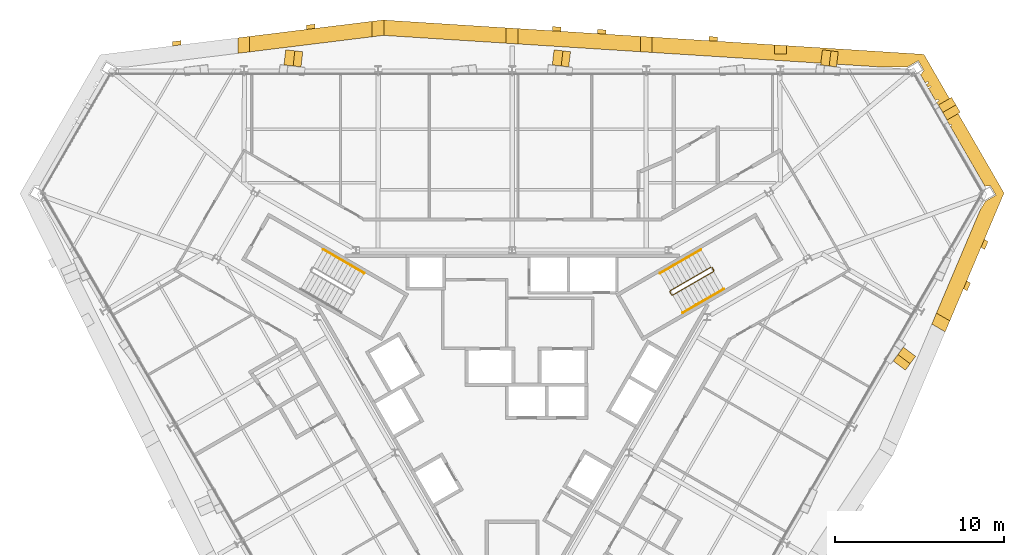
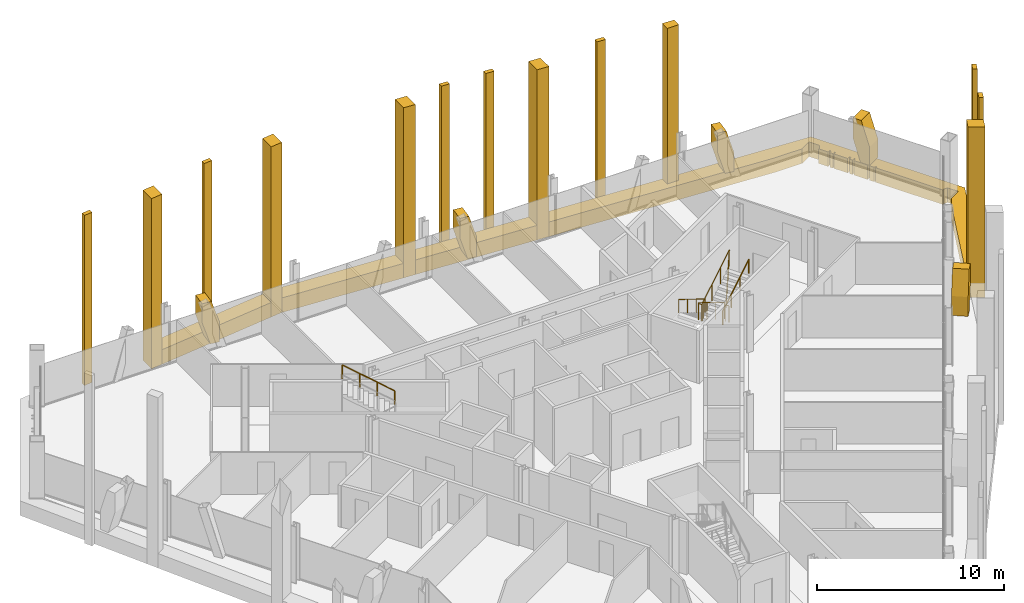
# One storey, part 15 of 15: 22 coverings, 4 railings.
"""IFC4 building model written with IfcOpenShell, lengths in metres."""

import ifcopenshell
import ifcopenshell.guid

model = None  # the IFC model being written
_history = None  # IfcOwnerHistory: only IFC2X3 demands one
_inside = {}  # id of a spatial element -> (the spatial element, [elements in it])
_under = {}  # id of a project, library or spatial element -> (it, [spatial elements below it])
_declared = {}  # id of a project -> (the project, [libraries it declares])
_typed = {}  # id of a type object -> (the type object, [elements of that type])
_made_of = {}  # id of a material, layer set ... -> (it, [elements and type objects made of it])


def new_model(schema):
    """Start an empty IFC model of exactly this schema.

    Asked for "IFC4X3", IfcOpenShell would pick the latest addendum, in which some entities
    have other attributes; the version numbers below select the first issue.
    IFC2X3 requires an IfcOwnerHistory on every rooted entity: one is made here for all.
    """
    global model, _history
    if schema == "IFC4X3":
        model = ifcopenshell.file(schema_version=(4, 3, 0, 0))
    else:
        model = ifcopenshell.file(schema=schema)
    _inside.clear()
    _under.clear()
    _declared.clear()
    _typed.clear()
    _made_of.clear()
    _history = None
    if model.schema == "IFC2X3":
        org = make("IfcOrganization", Name="unknown")
        user = make(
            "IfcPersonAndOrganization",
            ThePerson=make("IfcPerson", FamilyName="unknown"),
            TheOrganization=org,
        )
        app = make(
            "IfcApplication",
            ApplicationDeveloper=org,
            Version="unknown",
            ApplicationFullName="unknown",
            ApplicationIdentifier="unknown",
        )
        _history = make(
            "IfcOwnerHistory",
            OwningUser=user,
            OwningApplication=app,
            ChangeAction="ADDED",
            CreationDate=0,
        )
    return model


def make(cls, **values):
    """One entity of the class cls with the attributes given. An attribute that is None is left unset."""
    return model.create_entity(
        cls, **{name: value for name, value in values.items() if value is not None}
    )


def rooted(cls, **values):
    """An entity with a GlobalId (a new one), such as an element, a storey or a relation."""
    return make(cls, GlobalId=ifcopenshell.guid.new(), OwnerHistory=_history, **values)


def si_unit(unit_type, name, prefix=None):
    """IfcSIUnit, for example si_unit("LENGTHUNIT", "METRE", prefix="MILLI")."""
    return make("IfcSIUnit", UnitType=unit_type, Prefix=prefix, Name=name)


def assignment(units):
    """IfcUnitAssignment: the units of a project."""
    return None if units is None else make("IfcUnitAssignment", Units=units)


def point(xyz):
    """IfcCartesianPoint."""
    return None if xyz is None else make("IfcCartesianPoint", Coordinates=xyz)


def direction(xyz):
    """IfcDirection."""
    return None if xyz is None else make("IfcDirection", DirectionRatios=xyz)


def frame(location, z_axis=None, x_axis=None):
    """IfcAxis2Placement3D, a coordinate frame: its origin and axes. An axis left out is left unset."""
    return make(
        "IfcAxis2Placement3D",
        Location=point(location),
        Axis=direction(z_axis),
        RefDirection=direction(x_axis),
    )


def frame_2d(location, x_axis=None):
    """IfcAxis2Placement2D, a coordinate frame in the plane: its origin and x axis."""
    return make(
        "IfcAxis2Placement2D", Location=point(location), RefDirection=direction(x_axis)
    )


def origin():
    """The frame at (0, 0, 0) with its axes left unset."""
    return frame((0.0, 0.0, 0.0))


def origin_2d():
    """The frame at (0, 0) in the plane with its x axis left unset."""
    return frame_2d((0.0, 0.0))


def place(relative_to, where):
    """IfcLocalPlacement: puts the frame where relative to a parent placement (None: the world)."""
    return make(
        "IfcLocalPlacement", PlacementRelTo=relative_to, RelativePlacement=where
    )


def context(
    kind, dimensions, precision=None, world=None, true_north=None, identifier=None
):
    """IfcGeometricRepresentationContext, for example the 3D "Model" context."""
    return make(
        "IfcGeometricRepresentationContext",
        ContextIdentifier=identifier,
        ContextType=kind,
        CoordinateSpaceDimension=dimensions,
        Precision=precision,
        WorldCoordinateSystem=world,
        TrueNorth=true_north,
    )


def subcontext(parent, identifier, kind, view, scale=None):
    """IfcGeometricRepresentationSubContext, for example "Body" below "Model"."""
    return make(
        "IfcGeometricRepresentationSubContext",
        ContextIdentifier=identifier,
        ContextType=kind,
        ParentContext=parent,
        TargetScale=scale,
        TargetView=view,
    )


def project(units=None, contexts=None):
    """IfcProject with its units and contexts."""
    return rooted(
        "IfcProject",
        Name="project",
        RepresentationContexts=contexts,
        UnitsInContext=assignment(units),
    )


def spatial(cls, under=None, at=None, **own):
    """A site, building, storey or space (cls), placed at a placement, below another one or the project."""
    s = rooted(cls, ObjectPlacement=at, **own)
    if under is not None:
        _under.setdefault(under.id(), (under, []))[1].append(s)
    return s


def polyline(points):
    """IfcPolyline through the points."""
    return make("IfcPolyline", Points=[point(p) for p in points])


def profile(cls, at=None, kind="AREA", **sizes):
    """A parametric profile (cls). Its sizes go by their IFC names, for example OverallWidth=200.0."""
    return make(cls, ProfileType=kind, Position=at, **sizes)


def circle(**sizes):
    """IfcCircleProfileDef."""
    return profile("IfcCircleProfileDef", **sizes)


def outline(outer, holes=None, kind="AREA"):
    """IfcArbitraryClosedProfileDef: a profile drawn as a closed curve; with holes, ...WithVoids."""
    if holes is None:
        return make("IfcArbitraryClosedProfileDef", ProfileType=kind, OuterCurve=outer)
    return make(
        "IfcArbitraryProfileDefWithVoids",
        ProfileType=kind,
        OuterCurve=outer,
        InnerCurves=holes,
    )


def extrude(swept, where, along, depth):
    """IfcExtrudedAreaSolid: the profile swept, set in the frame where, extruded along a direction by depth."""
    return make(
        "IfcExtrudedAreaSolid",
        SweptArea=swept,
        Position=where,
        ExtrudedDirection=direction(along),
        Depth=depth,
    )


def shape(context_of_items, identifier, shape_type, items):
    """IfcShapeRepresentation: the items that make up one representation, for example the "Body"."""
    return make(
        "IfcShapeRepresentation",
        ContextOfItems=context_of_items,
        RepresentationIdentifier=identifier,
        RepresentationType=shape_type,
        Items=items,
    )


def material(Name=None, Category=None):
    """IfcMaterial."""
    return make("IfcMaterial", Name=Name, Category=Category)


def layer(
    of_material, thickness, ventilated=None, Name=None, Category=None, Priority=None
):
    """IfcMaterialLayer: one layer of a wall or slab, of a material (None: an air gap)."""
    return make(
        "IfcMaterialLayer",
        Material=of_material,
        LayerThickness=thickness,
        IsVentilated=ventilated,
        Name=Name,
        Category=Category,
        Priority=Priority,
    )


def layer_set(layers, Name=None):
    """IfcMaterialLayerSet."""
    return make("IfcMaterialLayerSet", MaterialLayers=layers, LayerSetName=Name)


def made_of(thing, what):
    """Note that an element or type object is made of a material, layer set ...; save() writes the relation."""
    if what is not None:
        _made_of.setdefault(what.id(), (what, []))[1].append(thing)
    return thing


def type_object(cls, material=None, **own):
    """A type object (cls), such as IfcWallType, which elements share."""
    return made_of(rooted(cls, **own), material)


def element(
    cls,
    number,
    at=None,
    inside=None,
    cuts=None,
    type_object=None,
    material=None,
    context=None,
    identifier="Body",
    shape_type=None,
    held_by="IfcProductDefinitionShape",
    body=None,
    shapes=None,
    **own,
):
    """One element of the class cls, such as IfcWall. Its Tag is "e" and its number.

    at: its placement. inside: the storey or other place that contains it. cuts: it is an
    opening in that element (IfcRelVoidsElement). A single representation is given by context,
    identifier, shape_type and body (its items); several are given by shapes. held_by: the class
    of the entity that holds the representations. save() writes the other relations.
    """
    e = rooted(cls, Tag="e%d" % number, ObjectPlacement=at, **own)
    if body is not None:
        shapes = [shape(context, identifier, shape_type, body)]
    if shapes is not None:
        e.Representation = make(held_by, Representations=shapes)
    if inside is not None:
        _inside.setdefault(inside.id(), (inside, []))[1].append(e)
    if cuts is not None:
        rooted(
            "IfcRelVoidsElement", RelatingBuildingElement=cuts, RelatedOpeningElement=e
        )
    if type_object is not None:
        _typed.setdefault(type_object.id(), (type_object, []))[1].append(e)
    return made_of(e, material)


def aggregate(whole, parts):
    """IfcRelAggregates: a whole, such as a stair, and the parts it consists of."""
    return rooted("IfcRelAggregates", RelatingObject=whole, RelatedObjects=parts)


def save(model, path):
    """Write the relations noted so far, then the file.

    IfcRelAggregates (storeys below a building ...), IfcRelContainedInSpatialStructure (elements
    in a storey), IfcRelDefinesByType, IfcRelAssociatesMaterial and IfcRelDeclares: one each for
    every whole, place, type object, material and project.
    """
    for whole, parts in _under.values():
        aggregate(whole, parts)
    for where, things in _inside.values():
        rooted(
            "IfcRelContainedInSpatialStructure",
            RelatedElements=things,
            RelatingStructure=where,
        )
    for kind, things in _typed.values():
        rooted("IfcRelDefinesByType", RelatedObjects=things, RelatingType=kind)
    for what, things in _made_of.values():
        rooted("IfcRelAssociatesMaterial", RelatedObjects=things, RelatingMaterial=what)
    for by, libraries in _declared.values():
        rooted("IfcRelDeclares", RelatingContext=by, RelatedDefinitions=libraries)
    model.write(path)


model = new_model("IFC4")

# Units and contexts
model_context = context("Model", 3, precision=1e-05, world=origin(), true_north=direction((0.0, 1.0)))
body_context = subcontext(model_context, "Body", "Model", "MODEL_VIEW")
ifc_project = project(units=[si_unit("LENGTHUNIT", "METRE"), si_unit("AREAUNIT", "SQUARE_METRE"), si_unit("VOLUMEUNIT", "CUBIC_METRE"), si_unit("PLANEANGLEUNIT", "RADIAN"), si_unit("MASSUNIT", "GRAM", prefix="KILO")], contexts=[model_context])

# Site, building, storey
site_placement = place(None, origin())
site = spatial("IfcSite", under=ifc_project, at=site_placement, CompositionType="ELEMENT")
building_placement = place(site_placement, origin())
building = spatial("IfcBuilding", under=site, at=building_placement, Name="Verrane Prism Tower", CompositionType="ELEMENT")
storey_placement = place(building_placement, frame((0.0, 0.0, 189.5)))
storey = spatial("IfcBuildingStorey", under=building, at=storey_placement, Name="L47", CompositionType="ELEMENT", Elevation=189.5)

# Railings
ifc_material_1 = material(Name="Steel A36 rail and posts, no infill", Category="steel")
railing_type_1 = type_object("IfcRailingType", Name="Stair guard 1100 steel rail and posts", PredefinedType="GUARDRAIL", material=ifc_material_1)
railing_1_placement = place(storey_placement, frame((11.78955078125, 6.97998046875, 0.168212890625)))
element("IfcRailing", 1, at=railing_1_placement, inside=storey, type_object=railing_type_1, Name="Stair 1 guard", PredefinedType="GUARDRAIL", context=body_context, shape_type="SweptSolid", body=[
    extrude(circle(Radius=0.02392578125, at=origin_2d()), frame((0.0, 0.0, 1.076171875), z_axis=(-0.742366697286, -0.42866220388, 0.514917859203), x_axis=(0.500049511043, -0.865996816683, 0.0)), (0.0, 0.0, 1.0), 3.266357421875),
    extrude(circle(Radius=0.02392578125, at=origin_2d()), frame((-2.4248046875, -1.400146484375, 2.7578125), z_axis=(-0.259601060869, -0.965715946433, 0.0), x_axis=(0.965715946433, -0.259601060869, 0.0)), (0.0, 0.0, 1.0), 0.070556640625),
    extrude(circle(Radius=0.02392578125, at=origin_2d()), frame((-2.443115234375, -1.46826171875, 2.7578125), z_axis=(0.499158860599, -0.866510491504, 0.0), x_axis=(0.866510491504, 0.499158860599, 0.0)), (0.0, 0.0, 1.0), 0.199951171875),
    extrude(circle(Radius=0.02392578125, at=origin_2d()), frame((-2.34326171875, -1.6416015625, 2.7578125), z_axis=(0.375047803403, -0.100459233054, 0.92154603122), x_axis=(0.258736085224, 0.965948051503, 0.0)), (0.0, 0.0, 1.0), 0.182373046875),
    extrude(circle(Radius=0.02392578125, at=origin_2d()), frame((-2.27490234375, -1.659912109375, 2.92578125), z_axis=(0.742366697286, 0.42866220388, 0.514917859203), x_axis=(-0.500049511043, 0.865996816683, 0.0)), (0.0, 0.0, 1.0), 3.266357421875),
    extrude(circle(Radius=0.02392578125, at=origin_2d()), frame((0.14990234375, -0.259765625, 4.60791015625), z_axis=(-0.021986835041, 0.065104730107, -0.997636182785), x_axis=(-0.947430582667, -0.3199613899, 0.0)), (0.0, 0.0, 1.0), 3.708740234375),
    extrude(circle(Radius=0.02392578125, at=origin_2d()), frame((0.068359375, -0.018310546875, 0.90771484375), z_axis=(0.499158860599, -0.866510491504, 0.0), x_axis=(0.866510491504, 0.499158860599, 0.0)), (0.0, 0.0, 1.0), 0.199951171875),
    extrude(circle(Radius=0.02099609375, at=origin_2d()), origin(), (0.0, 0.0, 1.0), 1.052001953125),
    extrude(circle(Radius=0.02099609375, at=origin_2d()), frame((-0.808349609375, -0.466796875, 0.560546875)), (0.0, 0.0, 1.0), 1.052001953125),
    extrude(circle(Radius=0.02099609375, at=origin_2d()), frame((-1.616455078125, -0.933349609375, 1.121337890625)), (0.0, 0.0, 1.0), 1.052001953125),
    extrude(circle(Radius=0.02099609375, at=origin_2d()), frame((-2.4248046875, -1.400146484375, 1.681884765625)), (0.0, 0.0, 1.0), 1.052001953125),
    extrude(circle(Radius=0.02099609375, at=origin_2d()), frame((-2.443115234375, -1.46826171875, 1.681884765625)), (0.0, 0.0, 1.0), 1.052001953125),
    extrude(circle(Radius=0.02099609375, at=origin_2d()), frame((-2.34326171875, -1.6416015625, 1.681884765625)), (0.0, 0.0, 1.0), 1.052001953125),
    extrude(circle(Radius=0.02099609375, at=origin_2d()), frame((-2.27490234375, -1.659912109375, 1.849853515625)), (0.0, 0.0, 1.0), 1.052001953125),
    extrude(circle(Radius=0.02099609375, at=origin_2d()), frame((-1.466552734375, -1.193115234375, 2.410400390625)), (0.0, 0.0, 1.0), 1.052001953125),
    extrude(circle(Radius=0.02099609375, at=origin_2d()), frame((-0.658447265625, -0.7265625, 2.97119140625)), (0.0, 0.0, 1.0), 1.052001953125),
    extrude(circle(Radius=0.02099609375, at=origin_2d()), frame((0.14990234375, -0.259765625, 3.53173828125)), (0.0, 0.0, 1.0), 1.052001953125),
    extrude(circle(Radius=0.02099609375, at=origin_2d()), frame((0.12939453125, -0.199462890625, 2.606689453125)), (0.0, 0.0, 1.0), 1.052001953125),
    extrude(circle(Radius=0.02099609375, at=origin_2d()), frame((0.109130859375, -0.13916015625, 1.681640625)), (0.0, 0.0, 1.0), 1.052001953125),
    extrude(circle(Radius=0.02099609375, at=origin_2d()), frame((0.0888671875, -0.07861328125, 0.7568359375)), (0.0, 0.0, 1.0), 1.052001953125),
    extrude(circle(Radius=0.02099609375, at=origin_2d()), frame((0.068359375, -0.018310546875, -0.168212890625)), (0.0, 0.0, 1.0), 1.052001953125),
    extrude(circle(Radius=0.02099609375, at=origin_2d()), frame((0.168212890625, -0.191650390625, -0.168212890625)), (0.0, 0.0, 1.0), 1.052001953125),
])
ifc_material_2 = material(Name="Steel A36 tube", Category="steel")
railing_type_2 = type_object("IfcRailingType", Name="Stair handrail 900 steel tube", PredefinedType="HANDRAIL", material=ifc_material_2)
railing_2_placement = place(storey_placement, frame((11.189453125, 8.01904296875, 0.168212890625)))
element("IfcRailing", 2, at=railing_2_placement, inside=storey, type_object=railing_type_2, Name="Stair 1 handrail", PredefinedType="HANDRAIL", context=body_context, shape_type="SweptSolid", body=[
    extrude(circle(Radius=0.02392578125, at=origin_2d()), frame((0.0, 0.0, 0.8759765625), z_axis=(-0.742390482028, -0.42860119049, 0.514934356695), x_axis=(0.49998411664, -0.866034573852, 0.0)), (0.0, 0.0, 1.0), 3.26611328125),
    extrude(circle(Radius=0.02099609375, at=origin_2d()), origin(), (0.0, 0.0, 1.0), 0.851806640625),
    extrude(circle(Radius=0.02099609375, at=origin_2d()), frame((-0.808349609375, -0.466552734375, 0.560546875)), (0.0, 0.0, 1.0), 0.851806640625),
    extrude(circle(Radius=0.02099609375, at=origin_2d()), frame((-1.616455078125, -0.933349609375, 1.121337890625)), (0.0, 0.0, 1.0), 0.851806640625),
    extrude(circle(Radius=0.02099609375, at=origin_2d()), frame((-2.4248046875, -1.39990234375, 1.681884765625)), (0.0, 0.0, 1.0), 0.851806640625),
])
railing_3_placement = place(storey_placement, frame((10.11474609375, 4.28076171875, 2.01806640625)))
element("IfcRailing", 3, at=railing_3_placement, inside=storey, type_object=railing_type_2, Name="Stair 1 handrail", PredefinedType="HANDRAIL", context=body_context, shape_type="SweptSolid", body=[
    extrude(circle(Radius=0.02392578125, at=origin_2d()), frame((0.0, 0.0, 0.8759765625), z_axis=(0.742366697286, 0.42866220388, 0.514917859203), x_axis=(-0.500049511043, 0.865996816683, 0.0)), (0.0, 0.0, 1.0), 3.266357421875),
    extrude(circle(Radius=0.02099609375, at=origin_2d()), origin(), (0.0, 0.0, 1.0), 0.851806640625),
    extrude(circle(Radius=0.02099609375, at=origin_2d()), frame((0.808349609375, 0.466796875, 0.560546875)), (0.0, 0.0, 1.0), 0.851806640625),
    extrude(circle(Radius=0.02099609375, at=origin_2d()), frame((1.616455078125, 0.933349609375, 1.121337890625)), (0.0, 0.0, 1.0), 0.851806640625),
    extrude(circle(Radius=0.02099609375, at=origin_2d()), frame((2.4248046875, 1.400146484375, 1.681884765625)), (0.0, 0.0, 1.0), 0.851806640625),
])
railing_4_placement = place(storey_placement, frame((-8.7646484375, 6.619140625, 2.01806640625)))
element("IfcRailing", 4, at=railing_4_placement, inside=storey, type_object=railing_type_2, Name="Stair 2 handrail", PredefinedType="HANDRAIL", context=body_context, shape_type="SweptSolid", body=[
    extrude(circle(Radius=0.02392578125, at=origin_2d()), frame((0.0, 0.0, 0.8759765625), z_axis=(-0.742390482028, 0.42860119049, 0.514934356695), x_axis=(-0.49998411664, -0.866034573852, 0.0)), (0.0, 0.0, 1.0), 3.26611328125),
    extrude(circle(Radius=0.02099609375, at=origin_2d()), origin(), (0.0, 0.0, 1.0), 0.851806640625),
    extrude(circle(Radius=0.02099609375, at=origin_2d()), frame((-0.808349609375, 0.466552734375, 0.560546875)), (0.0, 0.0, 1.0), 0.851806640625),
    extrude(circle(Radius=0.02099609375, at=origin_2d()), frame((-1.616455078125, 0.933349609375, 1.121337890625)), (0.0, 0.0, 1.0), 0.851806640625),
    extrude(circle(Radius=0.02099609375, at=origin_2d()), frame((-2.4248046875, 1.39990234375, 1.681884765625)), (0.0, 0.0, 1.0), 0.851806640625),
])

# Coverings
ifc_material_3 = material(Name="Warm limestone cladding", Category="masonry")
ifc_layer_1 = layer(ifc_material_3, 0.89990234375)
ifc_layer_set_1 = layer_set([ifc_layer_1], Name="Stone brace fin 900")
covering_type_1 = type_object("IfcCoveringType", Name="Stone brace fin 900", PredefinedType="CLADDING", material=ifc_layer_set_1)
covering_1_placement = place(storey_placement, frame((19.26953125, 19.293212890625, 0.0), z_axis=(0.0, 0.0, 1.0), x_axis=(-0.992464066409, 0.122536022817, 0.0)))
element("IfcCovering", 5, at=covering_1_placement, inside=storey, type_object=covering_type_1, Name="Stone brace fin N1 L47", PredefinedType="CLADDING", context=body_context, shape_type="SweptSolid", body=[
    extrude(outline(polyline([(0.9423828125, 2.75), (0.4326171875, 2.75), (0.0, 1.283203125), (0.0, 0.0), (0.506103515625, 0.0), (0.9423828125, 1.4794921875), (0.9423828125, 2.75)])), frame((0.0, 0.449951171875, 0.0), z_axis=(0.0, -1.0, 0.0), x_axis=(1.0, 0.0, 0.0)), (0.0, 0.0, 1.0), 0.89990234375),
])
covering_2_placement = place(storey_placement, frame((3.404296875, 19.293701171875, 0.0), z_axis=(0.0, 0.0, 1.0), x_axis=(-0.993036223889, 0.117809414071, 0.0)))
element("IfcCovering", 6, at=covering_2_placement, inside=storey, type_object=covering_type_1, Name="Stone brace fin N3 L47", PredefinedType="CLADDING", context=body_context, shape_type="SweptSolid", body=[
    extrude(outline(polyline([(0.97998046875, 2.75), (0.44970703125, 2.75), (0.0, 1.283203125), (0.0, 0.0), (0.5263671875, 0.0), (0.97998046875, 1.4794921875), (0.97998046875, 2.75)])), frame((0.0, 0.449951171875, 0.0), z_axis=(0.0, -1.0, 0.0), x_axis=(1.0, 0.0, 0.0)), (0.0, 0.0, 1.0), 0.89990234375),
])
covering_3_placement = place(storey_placement, frame((-12.4580078125, 19.294189453125, 0.0), z_axis=(0.0, 0.0, 1.0), x_axis=(-0.993566655748, 0.11324884364, 0.0)))
element("IfcCovering", 7, at=covering_3_placement, inside=storey, type_object=covering_type_1, Name="Stone brace fin N5 L47", PredefinedType="CLADDING", context=body_context, shape_type="SweptSolid", body=[
    extrude(outline(polyline([(1.017578125, 2.75), (0.47216796875, 2.75), (0.0, 1.2666015625), (0.0, 0.0), (0.541259765625, 0.0), (1.017578125, 1.49609375), (1.017578125, 2.75)])), frame((0.0, 0.449951171875, 0.0), z_axis=(0.0, -1.0, 0.0), x_axis=(1.0, 0.0, 0.0)), (0.0, 0.0, 1.0), 0.89990234375),
])
covering_4_placement = place(storey_placement, frame((22.941650390625, 1.14501953125, 0.0), z_axis=(0.0, 0.0, 1.0), x_axis=(0.595772101114, 0.803153536713, 0.0)))
element("IfcCovering", 8, at=covering_4_placement, inside=storey, type_object=covering_type_1, Name="Stone brace fin SE5 L47", PredefinedType="CLADDING", context=body_context, shape_type="SweptSolid", body=[
    extrude(outline(polyline([(1.018310546875, 2.75), (0.472900390625, 2.75), (0.0, 1.265380859375), (0.0, 0.0), (0.541259765625, 0.0), (1.018310546875, 1.497314453125), (1.018310546875, 2.75)])), frame((0.0, 0.449951171875, 0.0), z_axis=(0.0, -1.0, 0.0), x_axis=(1.0, 0.0, 0.0)), (0.0, 0.0, 1.0), 0.89990234375),
])
covering_5_placement = place(storey_placement, frame((26.1630859375, 15.924072265625, 0.0), z_axis=(0.0, 0.0, 1.0), x_axis=(-0.499749935271, 0.866169730594, 0.0)))
element("IfcCovering", 9, at=covering_5_placement, inside=storey, type_object=covering_type_1, Name="Stone brace fin NE1 L47", PredefinedType="CLADDING", context=body_context, shape_type="SweptSolid", body=[
    extrude(outline(polyline([(1.025390625, 2.75), (0.51318359375, 2.75), (0.0, 1.19384765625), (0.0, 0.0), (0.553955078125, 0.0), (1.025390625, 1.42919921875), (1.025390625, 2.75)])), frame((0.0, 0.449951171875, 0.0), z_axis=(0.0, -1.0, 0.0), x_axis=(1.0, 0.0, 0.0)), (0.0, 0.0, 1.0), 0.89990234375),
])
ifc_material_4 = material(Name="Warm limestone cladding", Category="masonry")
covering_type_2 = type_object("IfcCoveringType", Name="Stone mullion pier 500", PredefinedType="CLADDING", material=ifc_material_4)
covering_6_placement = place(storey_placement, frame((0.0, 0.0, -0.949951171875)))
element("IfcCovering", 10, at=covering_6_placement, inside=storey, type_object=covering_type_2, Name="Stone pier SM-N1.1 L47-L49", PredefinedType="CLADDING", context=body_context, shape_type="SweptSolid", body=[
    extrude(outline(polyline([(11.678466796875, 20.39501953125), (12.178466796875, 20.36328125), (12.178466796875, 20.61376953125), (11.678466796875, 20.6455078125), (11.678466796875, 20.39501953125)])), origin(), (0.0, 0.0, 1.0), 11.099853515625),
])
covering_7_placement = place(storey_placement, frame((0.0, 0.0, -0.949951171875)))
element("IfcCovering", 11, at=covering_7_placement, inside=storey, type_object=covering_type_2, Name="Stone pier SM-N2.1 L47-L49", PredefinedType="CLADDING", context=body_context, shape_type="SweptSolid", body=[
    extrude(outline(polyline([(5.051513671875, 20.81591796875), (5.551513671875, 20.7841796875), (5.551513671875, 21.03466796875), (5.051513671875, 21.06640625), (5.051513671875, 20.81591796875)])), origin(), (0.0, 0.0, 1.0), 11.099853515625),
])
covering_8_placement = place(storey_placement, frame((0.0, 0.0, -0.949951171875)))
element("IfcCovering", 12, at=covering_8_placement, inside=storey, type_object=covering_type_2, Name="Stone pier SM-N2.2 L47-L49", PredefinedType="CLADDING", context=body_context, shape_type="SweptSolid", body=[
    extrude(outline(polyline([(2.400634765625, 20.984375), (2.900634765625, 20.95263671875), (2.900634765625, 21.203125), (2.400634765625, 21.23486328125), (2.400634765625, 20.984375)])), origin(), (0.0, 0.0, 1.0), 11.099853515625),
])
covering_9_placement = place(storey_placement, frame((0.0, 0.0, -0.949951171875)))
element("IfcCovering", 13, at=covering_9_placement, inside=storey, type_object=covering_type_2, Name="Stone pier SM-N4.1 L47-L49", PredefinedType="CLADDING", context=body_context, shape_type="SweptSolid", body=[
    extrude(outline(polyline([(-12.17822265625, 21.06640625), (-11.67822265625, 21.128173828125), (-11.67822265625, 21.3798828125), (-12.17822265625, 21.318359375), (-12.17822265625, 21.06640625)])), origin(), (0.0, 0.0, 1.0), 11.099853515625),
])
covering_10_placement = place(storey_placement, frame((0.0, 0.0, -0.949951171875)))
element("IfcCovering", 14, at=covering_10_placement, inside=storey, type_object=covering_type_2, Name="Stone pier SM-N5.1 L47-L49", PredefinedType="CLADDING", context=body_context, shape_type="SweptSolid", body=[
    extrude(outline(polyline([(-20.130615234375, 20.086181640625), (-19.630615234375, 20.147705078125), (-19.630615234375, 20.399658203125), (-20.130615234375, 20.337890625), (-20.130615234375, 20.086181640625)])), origin(), (0.0, 0.0, 1.0), 11.099853515625),
])
covering_11_placement = place(storey_placement, frame((0.0, 0.0, -0.949951171875)))
element("IfcCovering", 15, at=covering_11_placement, inside=storey, type_object=covering_type_2, Name="Stone pier SM-SE5.1 L47-L49", PredefinedType="CLADDING", context=body_context, shape_type="SweptSolid", body=[
    extrude(outline(polyline([(26.939208984375, 6.1611328125), (26.74267578125, 5.697265625), (26.960693359375, 5.5712890625), (27.1572265625, 6.03515625), (26.939208984375, 6.1611328125)])), origin(), (0.0, 0.0, 1.0), 11.099853515625),
])
covering_12_placement = place(storey_placement, frame((0.0, 0.0, -0.949951171875)))
element("IfcCovering", 16, at=covering_12_placement, inside=storey, type_object=covering_type_2, Name="Stone pier SM-SE5.2 L47-L49", PredefinedType="CLADDING", context=body_context, shape_type="SweptSolid", body=[
    extrude(outline(polyline([(27.9814453125, 8.6201171875), (27.784912109375, 8.15625), (28.003173828125, 8.0302734375), (28.19970703125, 8.494140625), (27.9814453125, 8.6201171875)])), origin(), (0.0, 0.0, 1.0), 11.099853515625),
])
ifc_material_5 = material(Name="Warm limestone cladding", Category="masonry")
covering_type_3 = type_object("IfcCoveringType", Name="Stone pier 700", PredefinedType="CLADDING", material=ifc_material_5)
covering_13_placement = place(storey_placement, frame((0.0, 0.0, -0.949951171875)))
element("IfcCovering", 17, at=covering_13_placement, inside=storey, type_object=covering_type_3, Name="Stone pier PC-N1 L47-L49", PredefinedType="CLADDING", context=body_context, shape_type="SweptSolid", body=[
    extrude(outline(polyline([(15.554443359375, 19.60302734375), (16.25439453125, 19.60302734375), (16.25439453125, 20.1044921875), (15.554443359375, 20.14892578125), (15.554443359375, 19.60302734375)])), origin(), (0.0, 0.0, 1.0), 11.099853515625),
])
covering_14_placement = place(storey_placement, frame((0.0, 0.0, -0.949951171875)))
element("IfcCovering", 18, at=covering_14_placement, inside=storey, type_object=covering_type_3, Name="Stone pier PC-N2 L47-L49", PredefinedType="CLADDING", context=body_context, shape_type="SweptSolid", body=[
    extrude(outline(polyline([(7.602294921875, 20.654052734375), (7.602294921875, 19.7421875), (8.30224609375, 19.697998046875), (8.30224609375, 20.609619140625), (7.602294921875, 20.654052734375)])), origin(), (0.0, 0.0, 1.0), 11.099853515625),
])
covering_15_placement = place(storey_placement, frame((0.0, 0.0, -0.949951171875)))
element("IfcCovering", 19, at=covering_15_placement, inside=storey, type_object=covering_type_3, Name="Stone pier PC-N3 L47-L49", PredefinedType="CLADDING", context=body_context, shape_type="SweptSolid", body=[
    extrude(outline(polyline([(-0.35009765625, 21.158935546875), (-0.35009765625, 20.247314453125), (0.35009765625, 20.202880859375), (0.35009765625, 21.114501953125), (-0.35009765625, 21.158935546875)])), origin(), (0.0, 0.0, 1.0), 11.099853515625),
])
covering_16_placement = place(storey_placement, frame((0.0, 0.0, -0.949951171875)))
element("IfcCovering", 20, at=covering_16_placement, inside=storey, type_object=covering_type_3, Name="Stone pier PC-N4 L47-L49", PredefinedType="CLADDING", context=body_context, shape_type="SweptSolid", body=[
    extrude(outline(polyline([(-8.30224609375, 21.544189453125), (-8.30224609375, 20.627685546875), (-7.634033203125, 20.7099609375), (-7.602294921875, 20.7080078125), (-7.602294921875, 21.61962890625), (-7.6611328125, 21.623291015625), (-8.30224609375, 21.544189453125)])), origin(), (0.0, 0.0, 1.0), 11.099853515625),
])
covering_17_placement = place(storey_placement, frame((0.0, 0.0, -0.949951171875)))
element("IfcCovering", 21, at=covering_17_placement, inside=storey, type_object=covering_type_3, Name="Stone pier PC-N5 L47-L49", PredefinedType="CLADDING", context=body_context, shape_type="SweptSolid", body=[
    extrude(outline(polyline([(-16.25439453125, 20.56396484375), (-16.25439453125, 19.647216796875), (-15.554443359375, 19.7333984375), (-15.554443359375, 20.650146484375), (-16.25439453125, 20.56396484375)])), origin(), (0.0, 0.0, 1.0), 11.099853515625),
])
covering_18_placement = place(storey_placement, frame((0.0, 0.0, -0.949951171875)))
element("IfcCovering", 22, at=covering_18_placement, inside=storey, type_object=covering_type_3, Name="Stone pier PC-SE5 L47-L49", PredefinedType="CLADDING", context=body_context, shape_type="SweptSolid", body=[
    extrude(outline(polyline([(25.936279296875, 3.794921875), (25.142333984375, 4.253173828125), (24.866943359375, 3.603759765625), (25.660888671875, 3.1455078125), (25.936279296875, 3.794921875)])), origin(), (0.0, 0.0, 1.0), 11.099853515625),
])
ifc_material_6 = material(Name="Warm limestone cladding", Category="masonry")
ifc_layer_2 = layer(ifc_material_6, 0.449951171875)
ifc_layer_set_2 = layer_set([ifc_layer_2], Name="Stone spandrel band 450")
covering_type_4 = type_object("IfcCoveringType", Name="Stone spandrel band 450", PredefinedType="CLADDING", material=ifc_layer_set_2)
covering_19_placement = place(storey_placement, frame((0.0, 0.0, -0.949951171875)))
element("IfcCovering", 23, at=covering_19_placement, inside=storey, type_object=covering_type_4, Name="Stone spandrel band L47 part 2", PredefinedType="CLADDING", context=body_context, shape_type="SweptSolid", body=[
    extrude(outline(polyline([(8.30224609375, 19.697998046875), (21.757080078125, 18.843505859375), (23.430908203125, 18.843505859375), (24.0673828125, 19.210693359375), (24.3974609375, 18.63916015625), (24.37841796875, 18.628173828125), (24.267578125, 18.43896484375), (24.192138671875, 18.3955078125), (24.481201171875, 17.895263671875), (24.627685546875, 17.979736328125), (24.6826171875, 17.885009765625), (24.535888671875, 17.80029296875), (24.632080078125, 17.6337890625), (24.778564453125, 17.71826171875), (24.814208984375, 17.656494140625), (24.667724609375, 17.572021484375), (25.088134765625, 16.84375), (25.234619140625, 16.927978515625), (25.291015625, 16.830078125), (25.144775390625, 16.745849609375), (25.2421875, 16.57666015625), (25.388671875, 16.6611328125), (25.42431640625, 16.599609375), (25.27783203125, 16.51513671875), (25.698486328125, 15.78662109375), (25.844482421875, 15.870849609375), (25.901123046875, 15.77294921875), (25.7548828125, 15.688720703125), (25.897705078125, 15.441650390625), (26.034912109375, 15.427734375), (26.0263671875, 15.3447265625), (25.948974609375, 15.352783203125), (28.025146484375, 11.7568359375), (28.099609375, 11.7998046875), (28.318359375, 11.7998046875), (28.33740234375, 11.810791015625), (28.66748046875, 11.2392578125), (28.037353515625, 10.87548828125), (27.706298828125, 10.302001953125), (25.142333984375, 4.253173828125), (25.936279296875, 3.794921875), (29.146240234375, 11.367919921875), (24.40087890625, 19.587158203125), (16.25439453125, 20.1044921875), (16.25439453125, 19.60302734375), (15.554443359375, 19.60302734375), (15.554443359375, 20.14892578125), (8.30224609375, 20.609619140625), (8.30224609375, 19.697998046875)])), origin(), (0.0, 0.0, 1.0), 0.949951171875),
])
covering_20_placement = place(storey_placement, frame((0.0, 0.0, -0.949951171875)))
element("IfcCovering", 24, at=covering_20_placement, inside=storey, type_object=covering_type_4, Name="Stone spandrel band L47 part 10", PredefinedType="CLADDING", context=body_context, shape_type="SweptSolid", body=[
    extrude(outline(polyline([(0.35009765625, 20.202880859375), (7.602294921875, 19.7421875), (7.602294921875, 20.654052734375), (0.35009765625, 21.114501953125), (0.35009765625, 20.202880859375)])), origin(), (0.0, 0.0, 1.0), 0.949951171875),
])
covering_21_placement = place(storey_placement, frame((0.0, 0.0, -0.949951171875)))
element("IfcCovering", 25, at=covering_21_placement, inside=storey, type_object=covering_type_4, Name="Stone spandrel band L47 part 11", PredefinedType="CLADDING", context=body_context, shape_type="SweptSolid", body=[
    extrude(outline(polyline([(-7.602294921875, 21.61962890625), (-7.602294921875, 20.7080078125), (-0.35009765625, 20.247314453125), (-0.35009765625, 21.158935546875), (-7.602294921875, 21.61962890625)])), origin(), (0.0, 0.0, 1.0), 0.949951171875),
])
covering_22_placement = place(storey_placement, frame((0.0, 0.0, -0.949951171875)))
element("IfcCovering", 26, at=covering_22_placement, inside=storey, type_object=covering_type_4, Name="Stone spandrel band L47 part 12", PredefinedType="CLADDING", context=body_context, shape_type="SweptSolid", body=[
    extrude(outline(polyline([(-15.554443359375, 19.7333984375), (-8.30224609375, 20.627685546875), (-8.30224609375, 21.544189453125), (-11.67822265625, 21.128173828125), (-15.554443359375, 20.650146484375), (-15.554443359375, 19.7333984375)])), origin(), (0.0, 0.0, 1.0), 0.949951171875),
])

save(model, "model.ifc")
